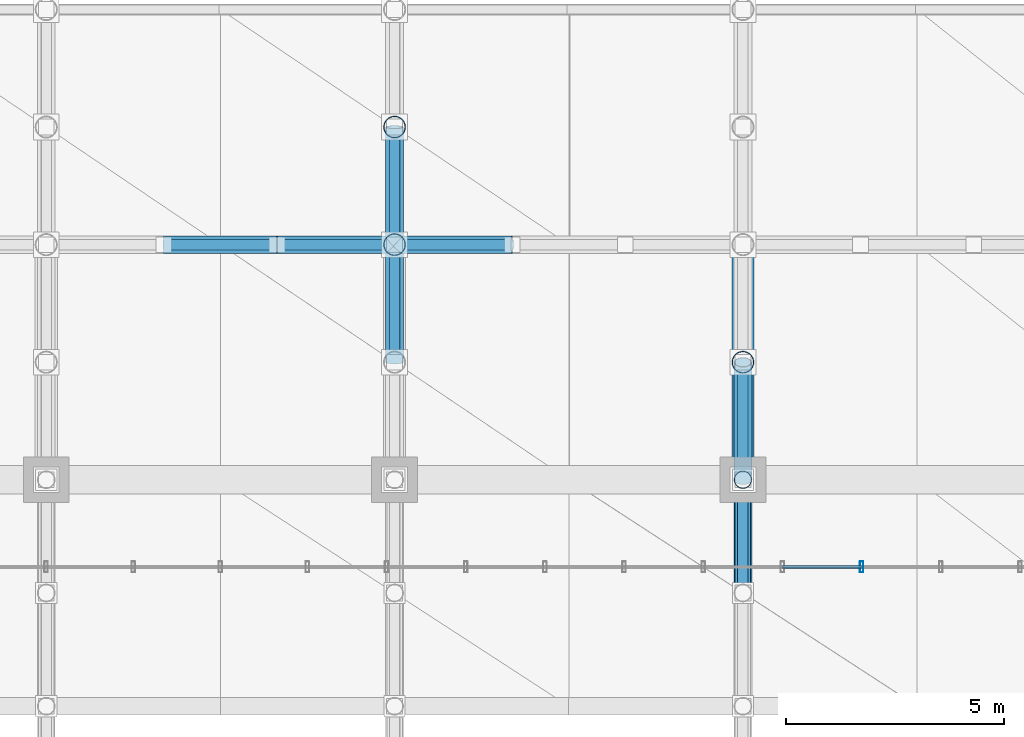
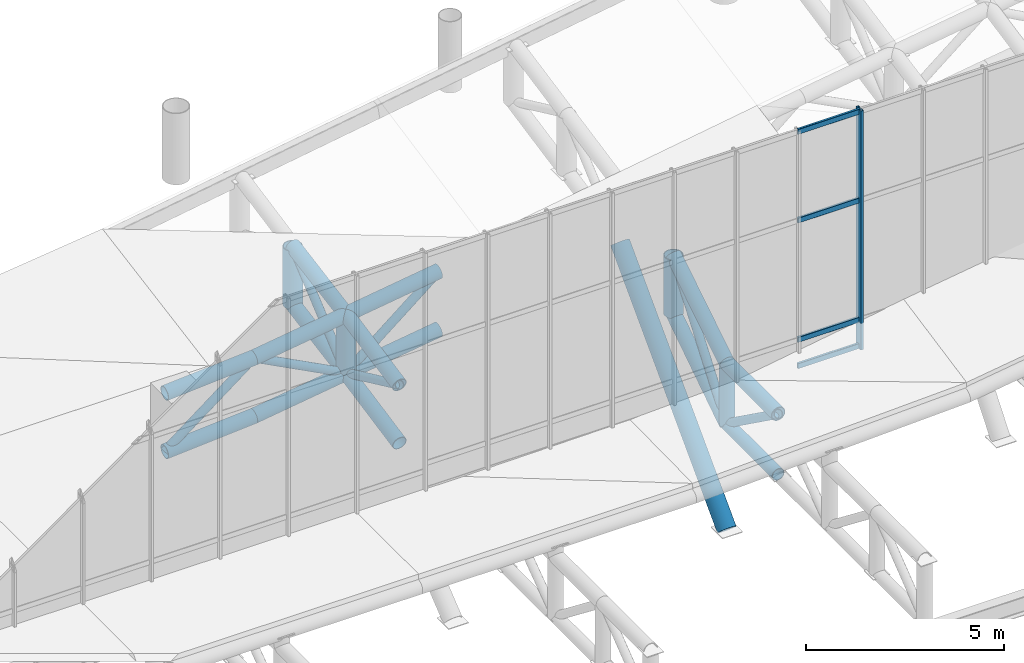
# One storey, part 56 of 137: 31 members, 1 element without a shape of its own.
"""IFC4 building model written with IfcOpenShell, lengths in metres."""

from ifc_helpers import new_model, si_unit, direction, frame, origin, origin_2d, place, context, subcontext, project, spatial, hollow_rectangle, hollow_circle, extrude, material, layer, layer_set, material_profile, profile_set, type_object, element, aggregate, save


model = new_model("IFC4")

# Units and contexts
model_context = context("Model", 3, precision=1e-05, world=origin(), true_north=direction((0.0, 1.0)))
body_context = subcontext(model_context, "Body", "Model", "MODEL_VIEW")
ifc_project = project(units=[si_unit("LENGTHUNIT", "METRE"), si_unit("AREAUNIT", "SQUARE_METRE"), si_unit("VOLUMEUNIT", "CUBIC_METRE"), si_unit("PLANEANGLEUNIT", "RADIAN"), si_unit("MASSUNIT", "GRAM", prefix="KILO")], contexts=[model_context])

# Site, building, storey
site_placement = place(None, origin())
site = spatial("IfcSite", under=ifc_project, at=site_placement, CompositionType="ELEMENT")
building_placement = place(site_placement, origin())
building = spatial("IfcBuilding", under=site, at=building_placement, Name="Khorjan Park Terminus", CompositionType="ELEMENT")
storey_placement = place(building_placement, frame((0.0, 0.0, 11.4)))
storey = spatial("IfcBuildingStorey", under=building, at=storey_placement, Name="L02", CompositionType="ELEMENT", Elevation=11.4)

# Members
ifc_material_1 = material(Name="Steel S355", Category="steel")
ifc_material_profile_1 = material_profile(ifc_material_1, hollow_circle(Radius=0.1222, WallThickness=0.0125, at=origin_2d()), Name="CHS 244.5x12.5")
ifc_profile_set_1 = profile_set([ifc_material_profile_1], Name="Steel S355")
member_type_1 = type_object("IfcMemberType", Name="MB-BR-245", PredefinedType="BRACE", material=ifc_profile_set_1)
member_1_placement = place(storey_placement, frame((120.0, 85.4, -0.05), z_axis=(0.0, 0.811830357573, -0.583893372562), x_axis=(-1.0, 0.0, 0.0)))
element("IfcMember", 1, at=member_1_placement, inside=storey, type_object=member_type_1, Name="Lower shell cantilever truss diagonal (10N)", PredefinedType="BRACE", context=body_context, shape_type="SweptSolid", body=[
    extrude(hollow_circle(Radius=0.1222, WallThickness=0.0125, at=origin_2d()), origin(), (0.0, 0.0, 1.0), 3.2026),
])
ifc_material_profile_2 = material_profile(ifc_material_1, hollow_circle(Radius=0.1222, WallThickness=0.0125, at=origin_2d()), Name="CHS 244.5x12.5")
ifc_profile_set_2 = profile_set([ifc_material_profile_2], Name="Steel S355")
member_type_2 = type_object("IfcMemberType", Name="MB-BRE-245", PredefinedType="BRACE", material=ifc_profile_set_2)
member_2_placement = place(storey_placement, frame((112.0, 90.7, 0.4308), z_axis=(0.0, 0.906376008919, -0.422471928602), x_axis=(-1.0, 0.0, 0.0)))
element("IfcMember", 2, at=member_2_placement, inside=storey, type_object=member_type_2, Name="Lower shell cantilever truss diagonal (9N)", PredefinedType="BRACE", context=body_context, shape_type="SweptSolid", body=[
    extrude(hollow_circle(Radius=0.1222, WallThickness=0.0125, at=origin_2d()), origin(), (0.0, 0.0, 1.0), 2.9789),
])
member_3_placement = place(storey_placement, frame((112.0, 93.4, -0.8277), z_axis=(0.0, 0.763918329918, 0.645312935881), x_axis=(-1.0, 0.0, 0.0)))
element("IfcMember", 3, at=member_3_placement, inside=storey, type_object=member_type_2, Name="Lower shell cantilever truss diagonal (9N)", PredefinedType="BRACE", context=body_context, shape_type="SweptSolid", body=[
    extrude(hollow_circle(Radius=0.1222, WallThickness=0.0125, at=origin_2d()), origin(), (0.0, 0.0, 1.0), 3.5344),
])
member_4_placement = place(storey_placement, frame((120.0, 88.0, -1.92), z_axis=(0.0, 0.602965135538, 0.797767538401), x_axis=(-1.0, 0.0, 0.0)))
element("IfcMember", 4, at=member_4_placement, inside=storey, type_object=member_type_2, Name="Lower shell cantilever truss diagonal (10N)", PredefinedType="BRACE", context=body_context, shape_type="SweptSolid", body=[
    extrude(hollow_circle(Radius=0.1222, WallThickness=0.0125, at=origin_2d()), origin(), (0.0, 0.0, 1.0), 4.4779),
])
member_5_placement = place(storey_placement, frame((106.7, 93.4, -1.408), z_axis=(0.794304066927, 0.0, 0.607520410573), x_axis=(0.0, 1.0, 0.0)))
element("IfcMember", 5, at=member_5_placement, inside=storey, type_object=member_type_2, Name="Lower shell mid-ring diagonal (N27)", PredefinedType="BRACE", context=body_context, shape_type="SweptSolid", body=[
    extrude(hollow_circle(Radius=0.1222, WallThickness=0.0125, at=origin_2d()), origin(), (0.0, 0.0, 1.0), 3.2733),
])
member_6_placement = place(storey_placement, frame((109.3, 93.4, 0.5806), z_axis=(0.886638123473, 0.0, -0.462463877514), x_axis=(0.0, 1.0, 0.0)))
element("IfcMember", 6, at=member_6_placement, inside=storey, type_object=member_type_2, Name="Lower shell mid-ring diagonal (N28)", PredefinedType="BRACE", context=body_context, shape_type="SweptSolid", body=[
    extrude(hollow_circle(Radius=0.1222, WallThickness=0.0125, at=origin_2d()), origin(), (0.0, 0.0, 1.0), 3.0452),
])
member_7_placement = place(storey_placement, frame((112.0, 93.4, -0.8277), z_axis=(0.776388351996, 0.0, 0.630254811076), x_axis=(0.0, 1.0, 0.0)))
element("IfcMember", 7, at=member_7_placement, inside=storey, type_object=member_type_2, Name="Lower shell mid-ring diagonal (N29)", PredefinedType="BRACE", context=body_context, shape_type="SweptSolid", body=[
    extrude(hollow_circle(Radius=0.1222, WallThickness=0.0125, at=origin_2d()), origin(), (0.0, 0.0, 1.0), 3.4776),
])
ifc_material_profile_3 = material_profile(ifc_material_1, hollow_circle(Radius=0.1778, WallThickness=0.016, at=origin_2d()), Name="CHS 355.6x16")
ifc_profile_set_3 = profile_set([ifc_material_profile_3], Name="Steel S355")
member_type_3 = type_object("IfcMemberType", Name="MB-CH-356", PredefinedType="CHORD", material=ifc_profile_set_3)
member_8_placement = place(storey_placement, frame((120.0, 85.4, -1.92), z_axis=(0.0, 1.0, 0.0), x_axis=(-1.0, 0.0, 0.0)))
element("IfcMember", 8, at=member_8_placement, inside=storey, type_object=member_type_3, Name="Lower shell cantilever truss bottom chord (10N)", PredefinedType="CHORD", context=body_context, shape_type="SweptSolid", body=[
    extrude(hollow_circle(Radius=0.1778, WallThickness=0.016, at=origin_2d()), origin(), (0.0, 0.0, 1.0), 2.6),
])
ifc_material_profile_4 = material_profile(ifc_material_1, hollow_circle(Radius=0.2032, WallThickness=0.016, at=origin_2d()), Name="CHS 406.4x16")
ifc_profile_set_4 = profile_set([ifc_material_profile_4], Name="Steel S355")
member_type_4 = type_object("IfcMemberType", Name="MB-CH-406", PredefinedType="CHORD", material=ifc_profile_set_4)
member_9_placement = place(storey_placement, frame((120.0, 85.4, -0.05), z_axis=(0.0, 1.0, 0.0), x_axis=(-1.0, 0.0, 0.0)))
element("IfcMember", 9, at=member_9_placement, inside=storey, type_object=member_type_4, Name="Lower shell cantilever truss top chord (10N)", PredefinedType="CHORD", context=body_context, shape_type="SweptSolid", body=[
    extrude(hollow_circle(Radius=0.2032, WallThickness=0.016, at=origin_2d()), origin(), (0.0, 0.0, 1.0), 2.6),
])
ifc_material_profile_5 = material_profile(ifc_material_1, hollow_circle(Radius=0.2032, WallThickness=0.016, at=origin_2d()), Name="CHS 406.4x16")
ifc_profile_set_5 = profile_set([ifc_material_profile_5], Name="Steel S355")
member_type_5 = type_object("IfcMemberType", Name="MB-CHE-406", PredefinedType="CHORD", material=ifc_profile_set_5)
for number, where, z_axis, x_axis, name in (
    (10, (112.0, 90.7, 0.4308), (0.0, 0.980475784127, 0.196639865594), (-1.0, 0.0, 0.0), "Lower shell cantilever truss top chord (9N)"),
    (11, (112.0, 90.7, -1.3692), (0.0, 0.980475784127, 0.196639865594), (-1.0, 0.0, 0.0), "Lower shell cantilever truss bottom chord (9N)"),
):
    element("IfcMember", number, at=place(storey_placement, frame(where, z_axis=z_axis, x_axis=x_axis)), inside=storey, type_object=member_type_5, Name=name, PredefinedType="CHORD", context=body_context, shape_type="SweptSolid", body=[
        extrude(hollow_circle(Radius=0.2032, WallThickness=0.016, at=origin_2d()), origin(), (0.0, 0.0, 1.0), 2.7538),
    ])
for number, where, z_axis, x_axis, name in (
    (12, (112.0, 93.4, 0.9723), (0.0, 0.98451219689, 0.175316097876), (-1.0, 0.0, 0.0), "Lower shell cantilever truss top chord (9N)"),
    (13, (112.0, 93.4, -0.8277), (0.0, 0.98451219689, 0.175316097876), (-1.0, 0.0, 0.0), "Lower shell cantilever truss bottom chord (9N)"),
):
    element("IfcMember", number, at=place(storey_placement, frame(where, z_axis=z_axis, x_axis=x_axis)), inside=storey, type_object=member_type_5, Name=name, PredefinedType="CHORD", context=body_context, shape_type="SweptSolid", body=[
        extrude(hollow_circle(Radius=0.2032, WallThickness=0.016, at=origin_2d()), origin(), (0.0, 0.0, 1.0), 2.7425),
    ])
member_10_placement = place(storey_placement, frame((120.0, 88.0, -0.05), z_axis=(0.0, 0.845907781047, 0.533329190991), x_axis=(-1.0, 0.0, 0.0)))
element("IfcMember", 14, at=member_10_placement, inside=storey, type_object=member_type_5, Name="Lower shell cantilever truss top chord (10N)", PredefinedType="CHORD", context=body_context, shape_type="SweptSolid", body=[
    extrude(hollow_circle(Radius=0.2032, WallThickness=0.016, at=origin_2d()), origin(), (0.0, 0.0, 1.0), 3.1918),
])
member_11_placement = place(storey_placement, frame((120.0, 88.0, -1.92), z_axis=(0.0, 0.83598754475, 0.548748416874), x_axis=(-1.0, 0.0, 0.0)))
element("IfcMember", 15, at=member_11_placement, inside=storey, type_object=member_type_5, Name="Lower shell cantilever truss bottom chord (10N)", PredefinedType="CHORD", context=body_context, shape_type="SweptSolid", body=[
    extrude(hollow_circle(Radius=0.2032, WallThickness=0.016, at=origin_2d()), origin(), (0.0, 0.0, 1.0), 3.2297),
])
for number, where, z_axis, x_axis, name in (
    (16, (106.7, 93.4, 0.392), (0.997379423046, 0.0, 0.072348368918), (0.0, 1.0, 0.0), "Lower shell mid-ring top chord (N27)"),
    (17, (106.7, 93.4, -1.408), (0.997379423046, 0.0, 0.072348368918), (0.0, 1.0, 0.0), "Lower shell mid-ring bottom chord (N27)"),
):
    element("IfcMember", number, at=place(storey_placement, frame(where, z_axis=z_axis, x_axis=x_axis)), inside=storey, type_object=member_type_5, Name=name, PredefinedType="CHORD", context=body_context, shape_type="SweptSolid", body=[
        extrude(hollow_circle(Radius=0.2032, WallThickness=0.016, at=origin_2d()), origin(), (0.0, 0.0, 1.0), 2.6068),
    ])
for number, where, z_axis, x_axis, name in (
    (18, (109.3, 93.4, 0.5806), (0.989640003825, 0.0, 0.143571107222), (0.0, 1.0, 0.0), "Lower shell mid-ring top chord (N28)"),
    (19, (109.3, 93.4, -1.2194), (0.989640003825, 0.0, 0.143571107222), (0.0, 1.0, 0.0), "Lower shell mid-ring bottom chord (N28)"),
    (20, (112.0, 93.4, 0.9723), (0.98963479536, 0.0, 0.143607004749), (0.0, 1.0, 0.0), "Lower shell mid-ring top chord (N29)"),
    (21, (112.0, 93.4, -0.8277), (0.98963479536, 0.0, 0.143607004749), (0.0, 1.0, 0.0), "Lower shell mid-ring bottom chord (N29)"),
):
    element("IfcMember", number, at=place(storey_placement, frame(where, z_axis=z_axis, x_axis=x_axis)), inside=storey, type_object=member_type_5, Name=name, PredefinedType="CHORD", context=body_context, shape_type="SweptSolid", body=[
        extrude(hollow_circle(Radius=0.2032, WallThickness=0.016, at=origin_2d()), origin(), (0.0, 0.0, 1.0), 2.7283),
    ])
ifc_material_profile_6 = material_profile(ifc_material_1, hollow_circle(Radius=0.2032, WallThickness=0.016, at=origin_2d()), Name="CHS 406.4x16")
ifc_profile_set_6 = profile_set([ifc_material_profile_6], Name="Steel S355")
member_type_6 = type_object("IfcMemberType", Name="MB-ST-406", PredefinedType="STRUT", material=ifc_profile_set_6)
member_12_placement = place(storey_placement, frame((120.0, 88.0, -1.92), z_axis=(0.0, 0.0, 1.0), x_axis=(1.0, 0.0, 0.0)))
element("IfcMember", 22, at=member_12_placement, inside=storey, type_object=member_type_6, Name="Lower shell cantilever truss post (10N)", PredefinedType="STRUT", context=body_context, shape_type="SweptSolid", body=[
    extrude(hollow_circle(Radius=0.2032, WallThickness=0.016, at=origin_2d()), origin(), (0.0, 0.0, 1.0), 1.87),
])
ifc_material_profile_7 = material_profile(ifc_material_1, hollow_circle(Radius=0.254, WallThickness=0.02, at=origin_2d()), Name="CHS 508x20")
ifc_profile_set_7 = profile_set([ifc_material_profile_7], Name="Steel S355")
member_type_7 = type_object("IfcMemberType", Name="MB-STE-508", PredefinedType="STRUT", material=ifc_profile_set_7)
for number, where, z_axis, x_axis, name in (
    (23, (112.0, 93.4, -0.8277), (0.0, 0.0, 1.0), (1.0, 0.0, 0.0), "Lower shell cantilever truss post (9N)"),
    (24, (112.0, 96.1, -0.3469), (0.0, 0.0, 1.0), (1.0, 0.0, 0.0), "Lower shell cantilever truss post (9N)"),
    (25, (120.0, 90.7, -0.1477), (0.0, 0.0, 1.0), (1.0, 0.0, 0.0), "Lower shell cantilever truss post (10N)"),
):
    element("IfcMember", number, at=place(storey_placement, frame(where, z_axis=z_axis, x_axis=x_axis)), inside=storey, type_object=member_type_7, Name=name, PredefinedType="STRUT", context=body_context, shape_type="SweptSolid", body=[
        extrude(hollow_circle(Radius=0.254, WallThickness=0.02, at=origin_2d()), origin(), (0.0, 0.0, 1.0), 1.8),
    ])
member_13_placement = place(storey_placement, frame((120.0, 88.0, -5.2), z_axis=(0.0, 0.694533914635, 0.719459965127), x_axis=(-1.0, 0.0, 0.0)))
element("IfcMember", 26, at=member_13_placement, inside=storey, type_object=member_type_7, Name="Lower shell raked overhang V-strut STE-51 (10N)", PredefinedType="STRUT", context=body_context, shape_type="SweptSolid", body=[
    extrude(hollow_circle(Radius=0.254, WallThickness=0.02, at=origin_2d()), origin(), (0.0, 0.0, 1.0), 7.775),
])

# Curtain wall, members
ifc_material_2 = material(Name="Anodized Bronze Aluminium", Category="aluminium")
ifc_layer = layer(ifc_material_2, 0.22)
ifc_layer_set = layer_set([ifc_layer], Name="Anodized Bronze Aluminium")
curtain_wall_type = type_object("IfcCurtainWallType", Name="CW-CONC-CLR", PredefinedType="NOTDEFINED", material=ifc_layer_set)
curtain_wall_placement = place(storey_placement, origin())
curtain_wall = element("IfcCurtainWall", 27, at=curtain_wall_placement, inside=storey, type_object=curtain_wall_type, Name="Unitized curtain wall CW-CL (CW-V2-N-CLR-07)", PredefinedType="NOTDEFINED")
ifc_material_profile_8 = material_profile(ifc_material_2, hollow_rectangle(XDim=0.08, YDim=0.25, WallThickness=0.005, InnerFilletRadius=0.005, OuterFilletRadius=0.01, at=origin_2d()), Name="ALM 80x250x5")
ifc_profile_set_8 = profile_set([ifc_material_profile_8], Name="Anodized Bronze Aluminium")
member_type_8 = type_object("IfcMemberType", Name="ML-ALM-250", PredefinedType="MULLION", material=ifc_profile_set_8)
member_14_placement = place(storey_placement, frame((122.7273, 86.0, 0.6813), z_axis=(0.0, 0.0, 1.0), x_axis=(-1.0, 0.0, 0.0)))
member_14 = element("IfcMember", 28, at=member_14_placement, type_object=member_type_8, Name="Curtain-wall mullion ML-25 (CW-V2-N-CLR-07-4)", PredefinedType="MULLION", context=body_context, shape_type="SweptSolid", body=[
    extrude(hollow_rectangle(XDim=0.08, YDim=0.25, WallThickness=0.005, InnerFilletRadius=0.005, OuterFilletRadius=0.01, at=origin_2d()), origin(), (0.0, 0.0, 1.0), 7.382),
])
ifc_material_profile_9 = material_profile(ifc_material_2, hollow_rectangle(XDim=0.07, YDim=0.16, WallThickness=0.004, InnerFilletRadius=0.004, OuterFilletRadius=0.008, at=origin_2d()), Name="ALT 70x160x4")
ifc_profile_set_9 = profile_set([ifc_material_profile_9], Name="Anodized Bronze Aluminium")
member_type_9 = type_object("IfcMemberType", Name="TR-ALT-160", PredefinedType="USERDEFINED", material=ifc_profile_set_9)
member_15_placement = place(storey_placement, frame((122.7273, 86.0, 0.7563), z_axis=(-1.0, 0.0, 0.0), x_axis=(0.0, -1.0, 0.0)))
member_15 = element("IfcMember", 29, at=member_15_placement, type_object=member_type_9, Name="Curtain-wall transom TR-16 (CW-V2-N-CLR-07-4-1)", ObjectType="TRANSOM", PredefinedType="USERDEFINED", context=body_context, shape_type="SweptSolid", body=[
    extrude(hollow_rectangle(XDim=0.07, YDim=0.16, WallThickness=0.004, InnerFilletRadius=0.004, OuterFilletRadius=0.008, at=origin_2d()), origin(), (0.0, 0.0, 1.0), 1.8182),
])
member_16_placement = place(storey_placement, frame((122.7273, 86.0, 1.5663), z_axis=(-1.0, 0.0, 0.0), x_axis=(0.0, -1.0, 0.0)))
member_16 = element("IfcMember", 30, at=member_16_placement, type_object=member_type_9, Name="Curtain-wall transom TR-16 (CW-V2-N-CLR-07-4-2)", ObjectType="TRANSOM", PredefinedType="USERDEFINED", context=body_context, shape_type="SweptSolid", body=[
    extrude(hollow_rectangle(XDim=0.07, YDim=0.16, WallThickness=0.004, InnerFilletRadius=0.004, OuterFilletRadius=0.008, at=origin_2d()), origin(), (0.0, 0.0, 1.0), 1.8182),
])
member_17_placement = place(storey_placement, frame((122.7273, 86.0, 5.2497), z_axis=(-1.0, 0.0, 0.0), x_axis=(0.0, -1.0, 0.0)))
member_17 = element("IfcMember", 31, at=member_17_placement, type_object=member_type_9, Name="Curtain-wall transom TR-16 (CW-V2-N-CLR-07-4-3)", ObjectType="TRANSOM", PredefinedType="USERDEFINED", context=body_context, shape_type="SweptSolid", body=[
    extrude(hollow_rectangle(XDim=0.07, YDim=0.16, WallThickness=0.004, InnerFilletRadius=0.004, OuterFilletRadius=0.008, at=origin_2d()), origin(), (0.0, 0.0, 1.0), 1.8182),
])
member_18_placement = place(storey_placement, frame((122.7273, 86.0, 7.9883), z_axis=(-1.0, 0.0, 0.0), x_axis=(0.0, -1.0, 0.0)))
member_18 = element("IfcMember", 32, at=member_18_placement, type_object=member_type_9, Name="Curtain-wall transom TR-16 (CW-V2-N-CLR-07-4-4)", ObjectType="TRANSOM", PredefinedType="USERDEFINED", context=body_context, shape_type="SweptSolid", body=[
    extrude(hollow_rectangle(XDim=0.07, YDim=0.16, WallThickness=0.004, InnerFilletRadius=0.004, OuterFilletRadius=0.008, at=origin_2d()), origin(), (0.0, 0.0, 1.0), 1.8182),
])
aggregate(curtain_wall, [member_14, member_15, member_16, member_17, member_18])

save(model, "model.ifc")
